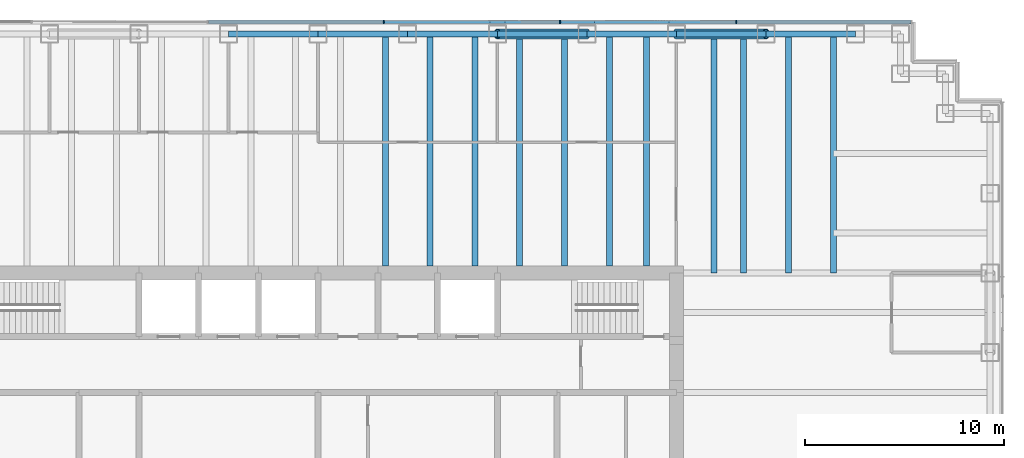
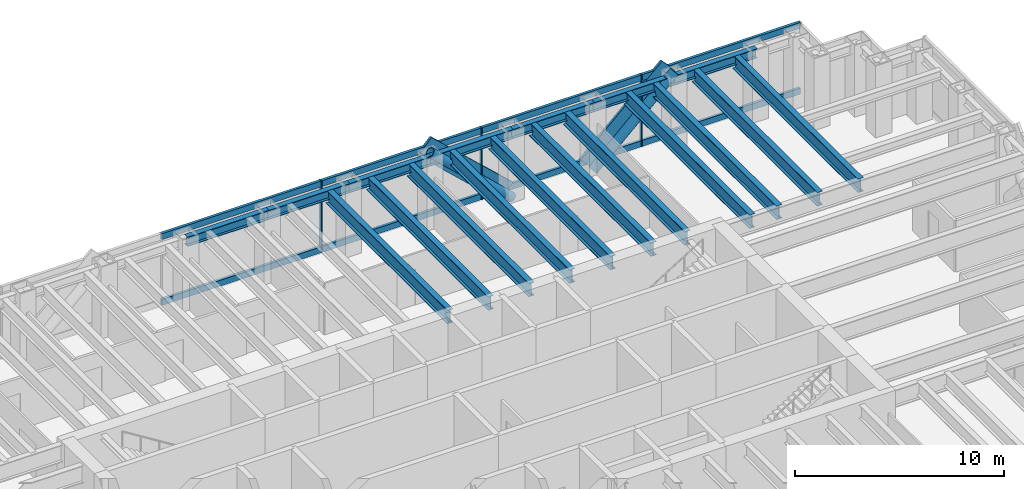
# One storey, part 7 of 17: 18 beams, 15 members, 1 element without a shape of its own.
"""IFC4 building model written with IfcOpenShell, lengths in metres."""

from ifc_helpers import new_model, si_unit, direction, frame, origin, origin_2d, place, context, subcontext, project, spatial, rectangle, hollow_circle, i_section, extrude, material, material_profile, profile_set, type_object, element, aggregate, save


model = new_model("IFC4")

# Units and contexts
model_context = context("Model", 3, precision=1e-05, world=origin(), true_north=direction((0.0, 1.0)))
body_context = subcontext(model_context, "Body", "Model", "MODEL_VIEW")
ifc_project = project(units=[si_unit("LENGTHUNIT", "METRE"), si_unit("AREAUNIT", "SQUARE_METRE"), si_unit("VOLUMEUNIT", "CUBIC_METRE"), si_unit("PLANEANGLEUNIT", "RADIAN"), si_unit("MASSUNIT", "GRAM", prefix="KILO")], contexts=[model_context])

# Site, building, storey
site_placement = place(None, origin())
site = spatial("IfcSite", under=ifc_project, at=site_placement, CompositionType="ELEMENT")
building_placement = place(site_placement, origin())
building = spatial("IfcBuilding", under=site, at=building_placement, Name="Rheinbord Bourse Tower", CompositionType="ELEMENT")
storey_placement = place(building_placement, frame((0.0, 0.0, 321.5)))
storey = spatial("IfcBuildingStorey", under=building, at=storey_placement, Name="L73", CompositionType="ELEMENT", Elevation=321.5)

# Curtain wall, members
ifc_material_1 = material(Name="Dark glass and black aluminium", Category="aluminium")
curtain_wall_type = type_object("IfcCurtainWallType", Name="CW3 DARK GLASS CURTAIN WALL", PredefinedType="USERDEFINED", material=ifc_material_1)
curtain_wall_placement = place(storey_placement, origin())
curtain_wall = element("IfcCurtainWall", 1, at=curtain_wall_placement, inside=storey, type_object=curtain_wall_type, Name="Curtain wall CW3 N L73", ObjectType="UNITISED CURTAIN WALL", PredefinedType="USERDEFINED")
ifc_material_2 = material(Name="Black anodised aluminium", Category="aluminium")
ifc_material_profile_1 = material_profile(ifc_material_2, rectangle(XDim=0.14990234375, YDim=1.10791015625, at=origin_2d()), Name="CW3 DIAGONAL MULLION 1108x150")
ifc_profile_set_1 = profile_set([ifc_material_profile_1], Name="Black anodised aluminium")
member_type_1 = type_object("IfcMemberType", Name="CW3 BLACK DIAGONAL MULLION", PredefinedType="USERDEFINED", material=ifc_profile_set_1)
member_1_placement = place(storey_placement, frame((49.5, 44.60009765625, 0.0), z_axis=(-0.73105922506, 0.0, 0.682314010889), x_axis=(0.0, -1.0, 0.0)))
member_1 = element("IfcMember", 2, at=member_1_placement, type_object=member_type_1, Name="CW3 diagonal mullion a", ObjectType="DIAGONAL MULLION", PredefinedType="USERDEFINED", context=body_context, shape_type="SweptSolid", body=[
    extrude(rectangle(XDim=0.14990234375, YDim=1.10791015625, at=origin_2d()), origin(), (0.0, 0.0, 1.0), 6.155517578125),
])
member_2_placement = place(storey_placement, frame((54.0, 44.60009765625, 0.0), z_axis=(0.73105922506, 0.0, 0.682314010889), x_axis=(0.0, 1.0, 0.0)))
member_2 = element("IfcMember", 3, at=member_2_placement, type_object=member_type_1, Name="CW3 diagonal mullion d", ObjectType="DIAGONAL MULLION", PredefinedType="USERDEFINED", context=body_context, shape_type="SweptSolid", body=[
    extrude(rectangle(XDim=0.14990234375, YDim=1.10791015625, at=origin_2d()), origin(), (0.0, 0.0, 1.0), 6.155517578125),
])
ifc_material_3 = material(Name="Black anodised aluminium", Category="aluminium")
ifc_material_profile_2 = material_profile(ifc_material_3, rectangle(XDim=0.199951171875, YDim=0.06494140625, at=origin_2d()), Name="CW3 MULLION 65x200")
ifc_profile_set_2 = profile_set([ifc_material_profile_2], Name="Black anodised aluminium")
member_type_2 = type_object("IfcMemberType", Name="CW3 BLACK MULLION", PredefinedType="MULLION", material=ifc_profile_set_2)
member_3_placement = place(storey_placement, frame((57.0, 44.60009765625, 0.0), z_axis=(0.0, 0.0, 1.0), x_axis=(0.0, -1.0, 0.0)))
member_3 = element("IfcMember", 4, at=member_3_placement, type_object=member_type_2, Name="CW3 mullion 2", PredefinedType="MULLION", context=body_context, shape_type="SweptSolid", body=[
    extrude(rectangle(XDim=0.199951171875, YDim=0.06494140625, at=origin_2d()), origin(), (0.0, 0.0, 1.0), 4.199951171875),
])
member_4_placement = place(storey_placement, frame((48.14990234375, 44.60009765625, 0.0), z_axis=(0.0, 0.0, 1.0), x_axis=(0.0, -1.0, 0.0)))
member_4 = element("IfcMember", 5, at=member_4_placement, type_object=member_type_2, Name="CW3 mullion 3", PredefinedType="MULLION", context=body_context, shape_type="SweptSolid", body=[
    extrude(rectangle(XDim=0.199951171875, YDim=0.06494140625, at=origin_2d()), origin(), (0.0, 0.0, 1.0), 4.199951171875),
])
member_5_placement = place(storey_placement, frame((39.300048828125, 44.60009765625, 0.0), z_axis=(0.0, 0.0, 1.0), x_axis=(0.0, -1.0, 0.0)))
member_5 = element("IfcMember", 6, at=member_5_placement, type_object=member_type_2, Name="CW3 mullion 4", PredefinedType="MULLION", context=body_context, shape_type="SweptSolid", body=[
    extrude(rectangle(XDim=0.199951171875, YDim=0.06494140625, at=origin_2d()), origin(), (0.0, 0.0, 1.0), 4.199951171875),
])
ifc_material_4 = material(Name="Black anodised aluminium", Category="aluminium")
ifc_material_profile_3 = material_profile(ifc_material_4, rectangle(XDim=0.14990234375, YDim=0.35009765625, at=origin_2d()), Name="CW3 TRANSOM 350x150")
ifc_profile_set_3 = profile_set([ifc_material_profile_3], Name="Black anodised aluminium")
member_type_3 = type_object("IfcMemberType", Name="CW3 BLACK TRANSOM", PredefinedType="USERDEFINED", material=ifc_profile_set_3)
member_6_placement = place(storey_placement, frame((65.784912109375, 44.60009765625, 0.175048828125), z_axis=(-1.0, 0.0, 0.0), x_axis=(0.0, -1.0, 0.0)))
member_6 = element("IfcMember", 7, at=member_6_placement, type_object=member_type_3, Name="CW3 transom 1.1", ObjectType="TRANSOM", PredefinedType="USERDEFINED", context=body_context, shape_type="SweptSolid", body=[
    extrude(rectangle(XDim=0.14990234375, YDim=0.35009765625, at=origin_2d()), origin(), (0.0, 0.0, 1.0), 8.75244140625),
])
member_7_placement = place(storey_placement, frame((65.784912109375, 44.60009765625, 4.02490234375), z_axis=(-1.0, 0.0, 0.0), x_axis=(0.0, -1.0, 0.0)))
member_7 = element("IfcMember", 8, at=member_7_placement, type_object=member_type_3, Name="CW3 transom 1.2", ObjectType="TRANSOM", PredefinedType="USERDEFINED", context=body_context, shape_type="SweptSolid", body=[
    extrude(rectangle(XDim=0.14990234375, YDim=0.35009765625, at=origin_2d()), origin(), (0.0, 0.0, 1.0), 8.75244140625),
])
member_8_placement = place(storey_placement, frame((56.967529296875, 44.60009765625, 0.175048828125), z_axis=(-1.0, 0.0, 0.0), x_axis=(0.0, -1.0, 0.0)))
member_8 = element("IfcMember", 9, at=member_8_placement, type_object=member_type_3, Name="CW3 transom 2.1", ObjectType="TRANSOM", PredefinedType="USERDEFINED", context=body_context, shape_type="SweptSolid", body=[
    extrude(rectangle(XDim=0.14990234375, YDim=0.35009765625, at=origin_2d()), origin(), (0.0, 0.0, 1.0), 8.784912109375),
])
member_9_placement = place(storey_placement, frame((56.967529296875, 44.60009765625, 4.02490234375), z_axis=(-1.0, 0.0, 0.0), x_axis=(0.0, -1.0, 0.0)))
member_9 = element("IfcMember", 10, at=member_9_placement, type_object=member_type_3, Name="CW3 transom 2.2", ObjectType="TRANSOM", PredefinedType="USERDEFINED", context=body_context, shape_type="SweptSolid", body=[
    extrude(rectangle(XDim=0.14990234375, YDim=0.35009765625, at=origin_2d()), origin(), (0.0, 0.0, 1.0), 8.784912109375),
])
member_10_placement = place(storey_placement, frame((48.117431640625, 44.60009765625, 0.175048828125), z_axis=(-1.0, 0.0, 0.0), x_axis=(0.0, -1.0, 0.0)))
member_10 = element("IfcMember", 11, at=member_10_placement, type_object=member_type_3, Name="CW3 transom 3.1", ObjectType="TRANSOM", PredefinedType="USERDEFINED", context=body_context, shape_type="SweptSolid", body=[
    extrude(rectangle(XDim=0.14990234375, YDim=0.35009765625, at=origin_2d()), origin(), (0.0, 0.0, 1.0), 8.784912109375),
])
member_11_placement = place(storey_placement, frame((48.117431640625, 44.60009765625, 4.02490234375), z_axis=(-1.0, 0.0, 0.0), x_axis=(0.0, -1.0, 0.0)))
member_11 = element("IfcMember", 12, at=member_11_placement, type_object=member_type_3, Name="CW3 transom 3.2", ObjectType="TRANSOM", PredefinedType="USERDEFINED", context=body_context, shape_type="SweptSolid", body=[
    extrude(rectangle(XDim=0.14990234375, YDim=0.35009765625, at=origin_2d()), origin(), (0.0, 0.0, 1.0), 8.784912109375),
])
member_12_placement = place(storey_placement, frame((39.267578125, 44.60009765625, 0.175048828125), z_axis=(-1.0, 0.0, 0.0), x_axis=(0.0, -1.0, 0.0)))
member_12 = element("IfcMember", 13, at=member_12_placement, type_object=member_type_3, Name="CW3 transom 4.1", ObjectType="TRANSOM", PredefinedType="USERDEFINED", context=body_context, shape_type="SweptSolid", body=[
    extrude(rectangle(XDim=0.14990234375, YDim=0.35009765625, at=origin_2d()), origin(), (0.0, 0.0, 1.0), 8.78515625),
])
member_13_placement = place(storey_placement, frame((39.267578125, 44.60009765625, 4.02490234375), z_axis=(-1.0, 0.0, 0.0), x_axis=(0.0, -1.0, 0.0)))
member_13 = element("IfcMember", 14, at=member_13_placement, type_object=member_type_3, Name="CW3 transom 4.2", ObjectType="TRANSOM", PredefinedType="USERDEFINED", context=body_context, shape_type="SweptSolid", body=[
    extrude(rectangle(XDim=0.14990234375, YDim=0.35009765625, at=origin_2d()), origin(), (0.0, 0.0, 1.0), 8.78515625),
])
aggregate(curtain_wall, [member_3, member_4, member_5, member_6, member_7, member_8, member_9, member_10, member_11, member_12, member_13, member_1, member_2])

# Beams
ifc_material_5 = material(Name="Steel S460", Category="steel")
ifc_material_profile_4 = material_profile(ifc_material_5, i_section(OverallWidth=0.300048828125, OverallDepth=0.800048828125, WebThickness=0.017578125, FlangeThickness=0.032958984375, at=origin_2d()), Name="HEB 800")
ifc_profile_set_4 = profile_set([ifc_material_profile_4], Name="Steel S460")
beam_type_1 = type_object("IfcBeamType", Name="FLOOR BEAM HEB 800", PredefinedType="BEAM", material=ifc_profile_set_4)
for number, where, z_axis, x_axis, name in (
    (15, (39.375, 44.0, 3.639892578125), (0.0, -1.0, 0.0), (1.0, 0.0, 0.0), "Floor beam N-36b L74"),
    (16, (41.625, 44.0, 3.639892578125), (0.0, -1.0, 0.0), (1.0, 0.0, 0.0), "Floor beam N-40.5a L74"),
    (17, (43.875, 44.0, 3.639892578125), (0.0, -1.0, 0.0), (1.0, 0.0, 0.0), "Floor beam N-40.5b L74"),
    (18, (46.125, 44.0, 3.639892578125), (0.0, -1.0, 0.0), (1.0, 0.0, 0.0), "Floor beam N-45a L74"),
    (19, (48.375, 44.0, 3.639892578125), (0.0, -1.0, 0.0), (1.0, 0.0, 0.0), "Floor beam N-45b L74"),
    (20, (50.625, 44.0, 3.639892578125), (0.0, -1.0, 0.0), (1.0, 0.0, 0.0), "Floor beam N-49.5a L74"),
    (21, (52.5, 44.0, 3.639892578125), (0.0, -1.0, 0.0), (1.0, 0.0, 0.0), "Floor beam N-49.5b L74"),
):
    element("IfcBeam", number, at=place(storey_placement, frame(where, z_axis=z_axis, x_axis=x_axis)), inside=storey, type_object=beam_type_1, Name=name, PredefinedType="BEAM", context=body_context, shape_type="SweptSolid", body=[
        extrude(i_section(OverallWidth=0.300048828125, OverallDepth=0.800048828125, WebThickness=0.017578125, FlangeThickness=0.032958984375, at=origin_2d()), origin(), (0.0, 0.0, 1.0), 11.64990234375),
    ])
for number, where, z_axis, x_axis, name in (
    (22, (55.875, 44.0, 3.639892578125), (0.0, -1.0, 0.0), (1.0, 0.0, 0.0), "Floor beam N-54a L74"),
    (23, (57.375, 44.0, 3.639892578125), (0.0, -1.0, 0.0), (1.0, 0.0, 0.0), "Floor beam N-54b L74"),
    (24, (59.625, 44.0, 3.639892578125), (0.0, -1.0, 0.0), (1.0, 0.0, 0.0), "Floor beam N-58.5a L74"),
    (25, (61.875, 44.0, 3.639892578125), (0.0, -1.0, 0.0), (1.0, 0.0, 0.0), "Floor beam N-58.5b L74"),
):
    element("IfcBeam", number, at=place(storey_placement, frame(where, z_axis=z_axis, x_axis=x_axis)), inside=storey, type_object=beam_type_1, Name=name, PredefinedType="BEAM", context=body_context, shape_type="SweptSolid", body=[
        extrude(i_section(OverallWidth=0.300048828125, OverallDepth=0.800048828125, WebThickness=0.017578125, FlangeThickness=0.032958984375, at=origin_2d()), origin(), (0.0, 0.0, 1.0), 12.0),
    ])

# Members
ifc_material_6 = material(Name="Steel S460", Category="steel")
ifc_material_profile_5 = material_profile(ifc_material_6, hollow_circle(Radius=0.25390625, WallThickness=0.030029296875, at=origin_2d()), Name="CHS 508x30")
ifc_profile_set_5 = profile_set([ifc_material_profile_5], Name="Steel S460")
member_type_4 = type_object("IfcMemberType", Name="MEGABRACE CHS 508x30", PredefinedType="BRACE", material=ifc_profile_set_5)
for number, where, z_axis, x_axis, name in (
    (26, (49.5, 44.0, 0.0), (-0.73105922506, 0.0, 0.682314010889), (0.0, -1.0, 0.0), "Megabrace N face line a L73"),
    (27, (54.0, 44.0, 0.0), (0.73105922506, 0.0, 0.682314010889), (0.0, 1.0, 0.0), "Megabrace N face line d L73"),
):
    element("IfcMember", number, at=place(storey_placement, frame(where, z_axis=z_axis, x_axis=x_axis)), inside=storey, type_object=member_type_4, Name=name, PredefinedType="BRACE", context=body_context, shape_type="SweptSolid", body=[
        extrude(hollow_circle(Radius=0.25390625, WallThickness=0.030029296875, at=origin_2d()), origin(), (0.0, 0.0, 1.0), 6.155517578125),
    ])

# Beams
ifc_material_7 = material(Name="Steel S460", Category="steel")
ifc_material_profile_6 = material_profile(ifc_material_7, i_section(OverallWidth=0.300048828125, OverallDepth=0.550048828125, WebThickness=0.014892578125, FlangeThickness=0.029052734375, at=origin_2d()), Name="HEB 550")
ifc_profile_set_6 = profile_set([ifc_material_profile_6], Name="Steel S460")
beam_type_2 = type_object("IfcBeamType", Name="SPANDREL HEB 550", PredefinedType="SPANDREL", material=ifc_profile_set_6)
for number, where, z_axis, x_axis, name in (
    (28, (63.0, 44.0, 3.764892578125), (-1.0, 0.0, 0.0), (0.0, -1.0, 0.0), "Spandrel N-63-N-58.5 under L74"),
    (29, (58.5, 44.0, 3.764892578125), (-1.0, 0.0, 0.0), (0.0, -1.0, 0.0), "Spandrel N-58.5-N-54 under L74"),
    (30, (54.0, 44.0, 3.764892578125), (-1.0, 0.0, 0.0), (0.0, -1.0, 0.0), "Spandrel N-54-N-49.5 under L74"),
    (31, (49.5, 44.0, 3.764892578125), (-1.0, 0.0, 0.0), (0.0, -1.0, 0.0), "Spandrel N-49.5-N-45 under L74"),
    (32, (45.0, 44.0, 3.764892578125), (-1.0, 0.0, 0.0), (0.0, -1.0, 0.0), "Spandrel N-45-N-40.5 under L74"),
    (33, (40.5, 44.0, 3.764892578125), (-1.0, 0.0, 0.0), (0.0, -1.0, 0.0), "Spandrel N-40.5-N-36 under L74"),
    (34, (36.0, 44.0, 3.764892578125), (-1.0, 0.0, 0.0), (0.0, -1.0, 0.0), "Spandrel N-36-N-31.5 under L74"),
):
    element("IfcBeam", number, at=place(storey_placement, frame(where, z_axis=z_axis, x_axis=x_axis)), inside=storey, type_object=beam_type_2, Name=name, PredefinedType="SPANDREL", context=body_context, shape_type="SweptSolid", body=[
        extrude(i_section(OverallWidth=0.300048828125, OverallDepth=0.550048828125, WebThickness=0.014892578125, FlangeThickness=0.029052734375, at=origin_2d()), origin(), (0.0, 0.0, 1.0), 4.5),
    ])

save(model, "model.ifc")
